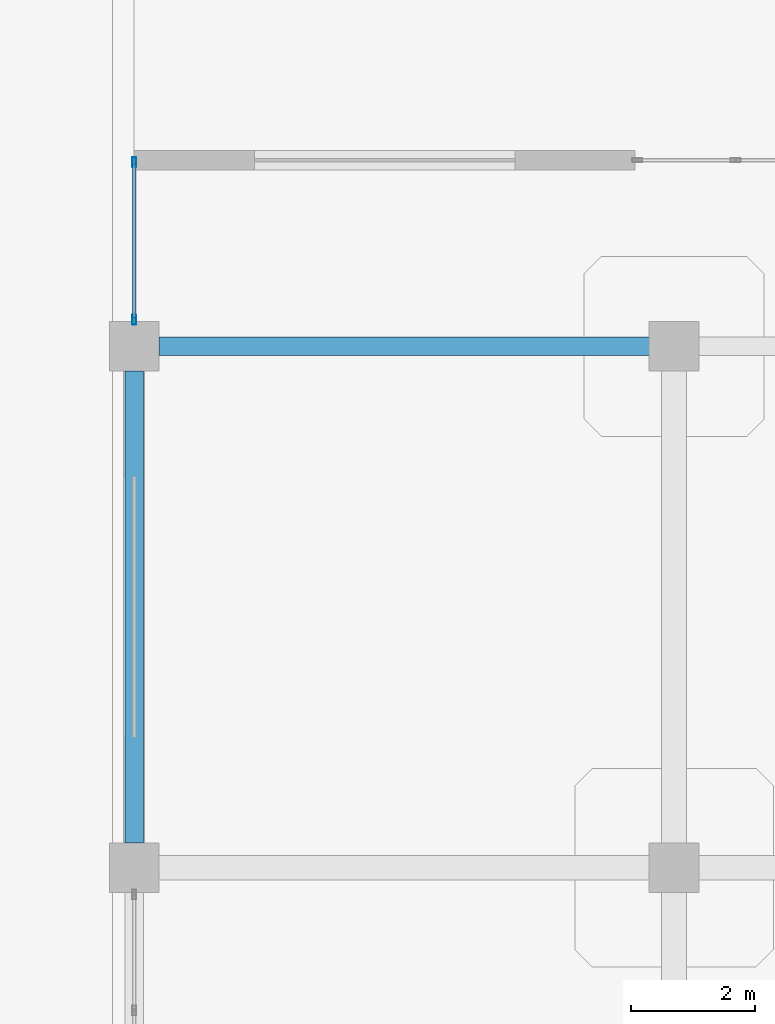
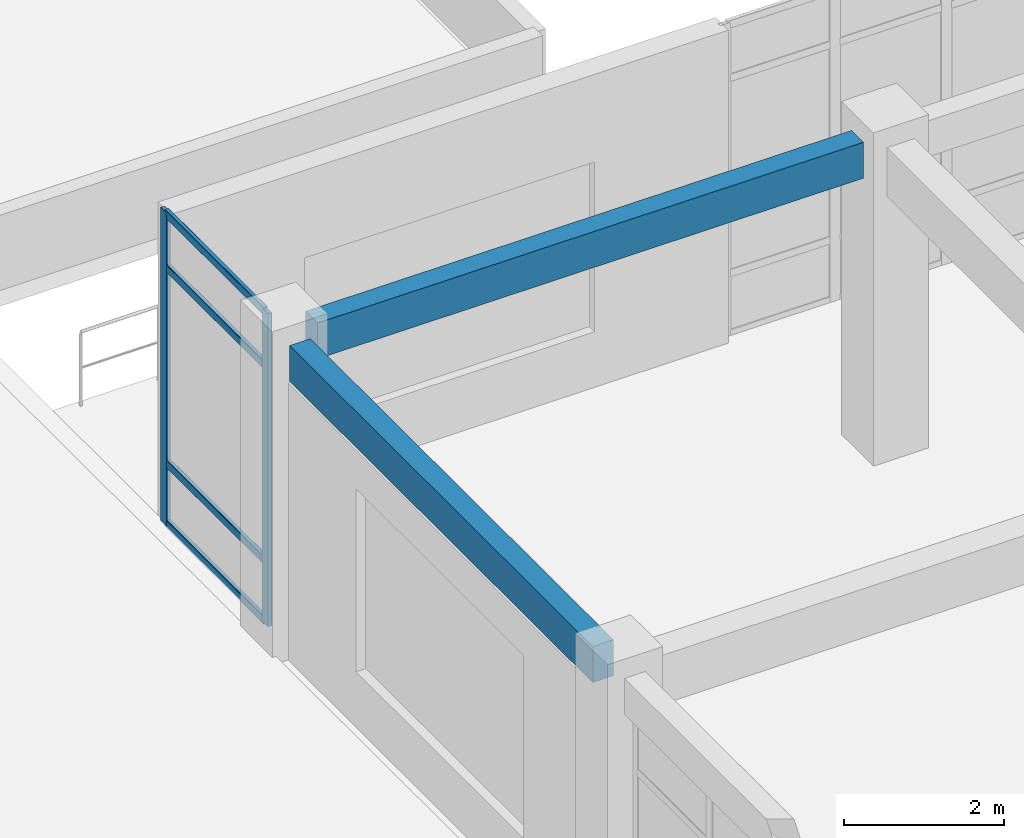
# One storey, part 33 of 124: 6 members, 2 beams, 1 element without a shape of its own.
"""IFC4 building model written with IfcOpenShell, lengths in metres."""

from ifc_helpers import new_model, si_unit, derived_unit, direction, frame, origin, origin_2d, place, context, subcontext, project, spatial, rectangle, hollow_rectangle, extrude, material, layer, layer_set, material_profile, profile_set, type_object, element, aggregate, save


model = new_model("IFC4")

# Units and contexts
model_context = context("Model", 3, precision=1e-05, world=origin(), true_north=direction((0.0, 1.0)))
body_context = subcontext(model_context, "Body", "Model", "MODEL_VIEW")
ifc_project = project(units=[si_unit("LENGTHUNIT", "METRE"), si_unit("AREAUNIT", "SQUARE_METRE"), si_unit("VOLUMEUNIT", "CUBIC_METRE"), si_unit("PLANEANGLEUNIT", "RADIAN"), si_unit("MASSUNIT", "GRAM", prefix="KILO"), derived_unit("THERMALTRANSMITTANCEUNIT", [(si_unit("MASSUNIT", "GRAM", prefix="KILO"), 1), (si_unit("TIMEUNIT", "SECOND"), -3), (si_unit("THERMODYNAMICTEMPERATUREUNIT", "KELVIN"), -1)])], contexts=[model_context])

# Site, building, storey
site_placement = place(None, origin())
site = spatial("IfcSite", under=ifc_project, at=site_placement, CompositionType="ELEMENT")
building_placement = place(site_placement, origin())
building = spatial("IfcBuilding", under=site, at=building_placement, Name="Qinzheling Arcade Emporium", CompositionType="ELEMENT")
storey_placement = place(building_placement, frame((0.0, 0.0, 16.5)))
storey = spatial("IfcBuildingStorey", under=building, at=storey_placement, Name="L04", CompositionType="ELEMENT", Elevation=16.5)

# Curtain wall, members
ifc_material_1 = material(Name="Anodised aluminium and solar-control double glazing", Category="aluminium")
ifc_layer = layer(ifc_material_1, 0.159912109375, Name="Anodised aluminium and solar-control double glazing", Category="aluminium")
ifc_layer_set = layer_set([ifc_layer], Name="Anodised aluminium and solar-control double glazing")
curtain_wall_type = type_object("IfcCurtainWallType", Name="Food Hall Loggia Curtain Wall", PredefinedType="NOTDEFINED", material=ifc_layer_set)
curtain_wall_placement = place(storey_placement, origin())
curtain_wall = element("IfcCurtainWall", 1, at=curtain_wall_placement, inside=storey, type_object=curtain_wall_type, Name="Curtain Wall CW-L04-218", PredefinedType="NOTDEFINED")
ifc_material_2 = material(Name="Anodised aluminium 6063-T6", Category="aluminium")
ifc_material_profile_1 = material_profile(ifc_material_2, hollow_rectangle(XDim=0.06005859375, YDim=0.159912109375, WallThickness=0.00390625, InnerFilletRadius=0.00390625, OuterFilletRadius=0.008056640625, at=origin_2d()), Name="RHS 160x60x4", Category="aluminium")
ifc_profile_set_1 = profile_set([ifc_material_profile_1], Name="Anodised aluminium 6063-T6")
member_type_1 = type_object("IfcMemberType", Name="Curtain Wall Mullion RHS160x60", PredefinedType="MULLION", material=ifc_profile_set_1)
member_1_placement = place(storey_placement, frame((121.800048828125, 25.632080078125, 0.0), z_axis=(0.0, 0.0, 1.0), x_axis=(-1.0, 0.0, 0.0)))
member_1 = element("IfcMember", 2, at=member_1_placement, type_object=member_type_1, Name="CW04 mullion 1", PredefinedType="MULLION", context=body_context, shape_type="SweptSolid", body=[
    extrude(hollow_rectangle(XDim=0.06005859375, YDim=0.159912109375, WallThickness=0.00390625, InnerFilletRadius=0.00390625, OuterFilletRadius=0.008056640625, at=origin_2d()), origin(), (0.0, 0.0, 1.0), 4.7900390625),
])
member_2_placement = place(storey_placement, frame((121.800048828125, 28.169921875, 0.0), z_axis=(0.0, 0.0, 1.0), x_axis=(-1.0, 0.0, 0.0)))
member_2 = element("IfcMember", 3, at=member_2_placement, type_object=member_type_1, Name="CW04 mullion 2", PredefinedType="MULLION", context=body_context, shape_type="SweptSolid", body=[
    extrude(hollow_rectangle(XDim=0.06005859375, YDim=0.159912109375, WallThickness=0.00390625, InnerFilletRadius=0.00390625, OuterFilletRadius=0.008056640625, at=origin_2d()), origin(), (0.0, 0.0, 1.0), 4.7900390625),
])
ifc_material_profile_2 = material_profile(ifc_material_2, hollow_rectangle(XDim=0.06005859375, YDim=0.1201171875, WallThickness=0.00390625, InnerFilletRadius=0.00390625, OuterFilletRadius=0.008056640625, at=origin_2d()), Name="RHS 120x60x4", Category="aluminium")
ifc_profile_set_2 = profile_set([ifc_material_profile_2], Name="Anodised aluminium 6063-T6")
member_type_2 = type_object("IfcMemberType", Name="Curtain Wall Transom RHS120x60", PredefinedType="USERDEFINED", material=ifc_profile_set_2)
member_3_placement = place(storey_placement, frame((121.800048828125, 25.662109375, 0.030029296875), z_axis=(0.0, 1.0, 0.0), x_axis=(-1.0, 0.0, 0.0)))
member_3 = element("IfcMember", 4, at=member_3_placement, type_object=member_type_2, Name="CW04 transom 1.1", ObjectType="TRANSOM", PredefinedType="USERDEFINED", context=body_context, shape_type="SweptSolid", body=[
    extrude(hollow_rectangle(XDim=0.06005859375, YDim=0.1201171875, WallThickness=0.00390625, InnerFilletRadius=0.00390625, OuterFilletRadius=0.008056640625, at=origin_2d()), origin(), (0.0, 0.0, 1.0), 2.477783203125),
])
member_4_placement = place(storey_placement, frame((121.800048828125, 25.662109375, 0.949951171875), z_axis=(0.0, 1.0, 0.0), x_axis=(-1.0, 0.0, 0.0)))
member_4 = element("IfcMember", 5, at=member_4_placement, type_object=member_type_2, Name="CW04 transom 1.2", ObjectType="TRANSOM", PredefinedType="USERDEFINED", context=body_context, shape_type="SweptSolid", body=[
    extrude(hollow_rectangle(XDim=0.06005859375, YDim=0.1201171875, WallThickness=0.00390625, InnerFilletRadius=0.00390625, OuterFilletRadius=0.008056640625, at=origin_2d()), origin(), (0.0, 0.0, 1.0), 2.477783203125),
])
member_5_placement = place(storey_placement, frame((121.800048828125, 25.662109375, 3.93994140625), z_axis=(0.0, 1.0, 0.0), x_axis=(-1.0, 0.0, 0.0)))
member_5 = element("IfcMember", 6, at=member_5_placement, type_object=member_type_2, Name="CW04 transom 1.3", ObjectType="TRANSOM", PredefinedType="USERDEFINED", context=body_context, shape_type="SweptSolid", body=[
    extrude(hollow_rectangle(XDim=0.06005859375, YDim=0.1201171875, WallThickness=0.00390625, InnerFilletRadius=0.00390625, OuterFilletRadius=0.008056640625, at=origin_2d()), origin(), (0.0, 0.0, 1.0), 2.477783203125),
])
member_6_placement = place(storey_placement, frame((121.800048828125, 25.662109375, 4.760009765625), z_axis=(0.0, 1.0, 0.0), x_axis=(-1.0, 0.0, 0.0)))
member_6 = element("IfcMember", 7, at=member_6_placement, type_object=member_type_2, Name="CW04 transom 1.4", ObjectType="TRANSOM", PredefinedType="USERDEFINED", context=body_context, shape_type="SweptSolid", body=[
    extrude(hollow_rectangle(XDim=0.06005859375, YDim=0.1201171875, WallThickness=0.00390625, InnerFilletRadius=0.00390625, OuterFilletRadius=0.008056640625, at=origin_2d()), origin(), (0.0, 0.0, 1.0), 2.477783203125),
])
aggregate(curtain_wall, [member_1, member_2, member_3, member_4, member_5, member_6])

# Beams
ifc_material_3 = material(Name="Concrete C40", Category="concrete")
ifc_material_profile_3 = material_profile(ifc_material_3, rectangle(XDim=0.300048828125, YDim=0.550048828125, at=origin_2d()), Name="RC 300x550", Category="concrete")
ifc_profile_set_3 = profile_set([ifc_material_profile_3], Name="Concrete C40")
beam_type = type_object("IfcBeamType", Name="RC Terrace Spandrel Beam 300x550 C40", PredefinedType="SPANDREL", material=ifc_profile_set_3)
beam_1_placement = place(storey_placement, frame((122.199951171875, 25.199951171875, 4.530029296875), z_axis=(1.0, 0.0, 0.0), x_axis=(0.0, 1.0, 0.0)))
element("IfcBeam", 8, at=beam_1_placement, inside=storey, type_object=beam_type, Name="Beam BM-L04-X-D-15", PredefinedType="SPANDREL", context=body_context, shape_type="SweptSolid", body=[
    extrude(rectangle(XDim=0.300048828125, YDim=0.550048828125, at=origin_2d()), origin(), (0.0, 0.0, 1.0), 7.900146484375),
])
beam_2_placement = place(storey_placement, frame((121.800048828125, 17.199951171875, 4.530029296875), z_axis=(0.0, 1.0, 0.0), x_axis=(-1.0, 0.0, 0.0)))
element("IfcBeam", 9, at=beam_2_placement, inside=storey, type_object=beam_type, Name="Beam BM-L04-Y-15-C", PredefinedType="SPANDREL", context=body_context, shape_type="SweptSolid", body=[
    extrude(rectangle(XDim=0.300048828125, YDim=0.550048828125, at=origin_2d()), origin(), (0.0, 0.0, 1.0), 7.60009765625),
])

save(model, "model.ifc")
